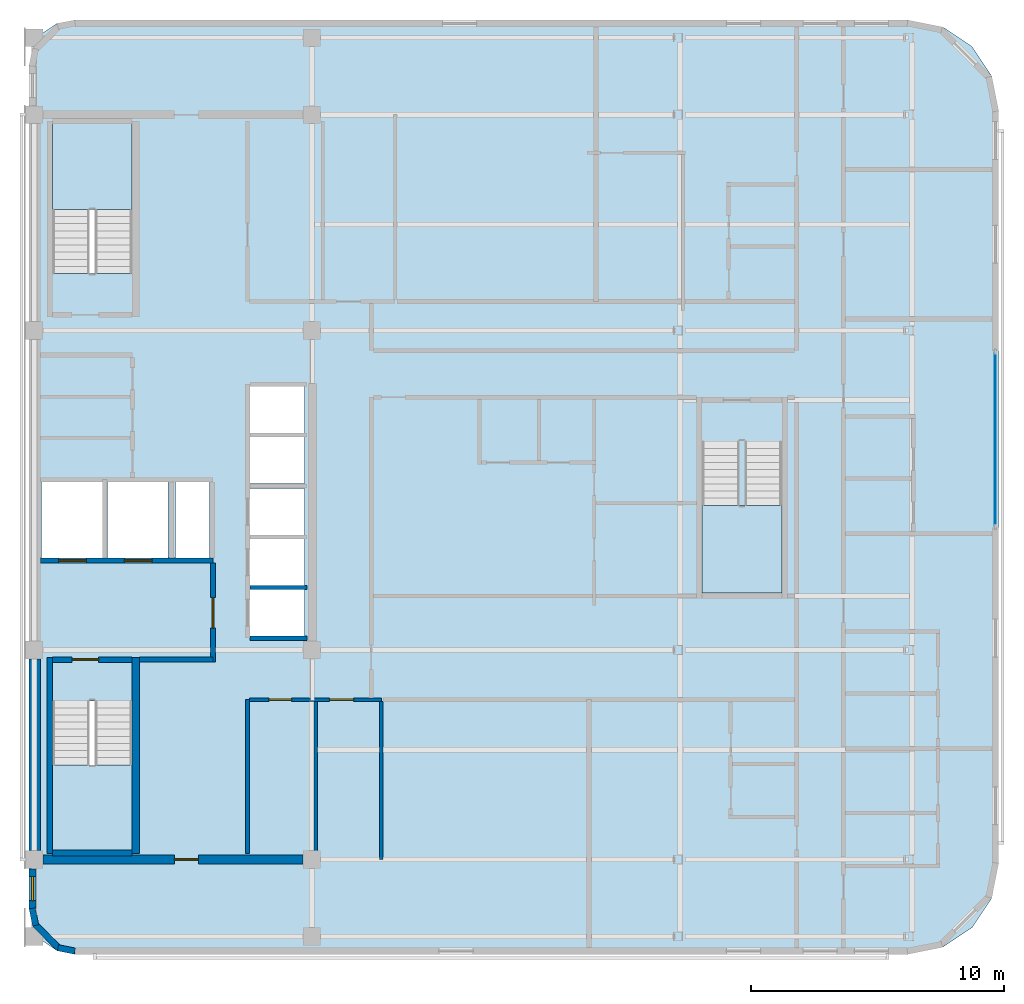
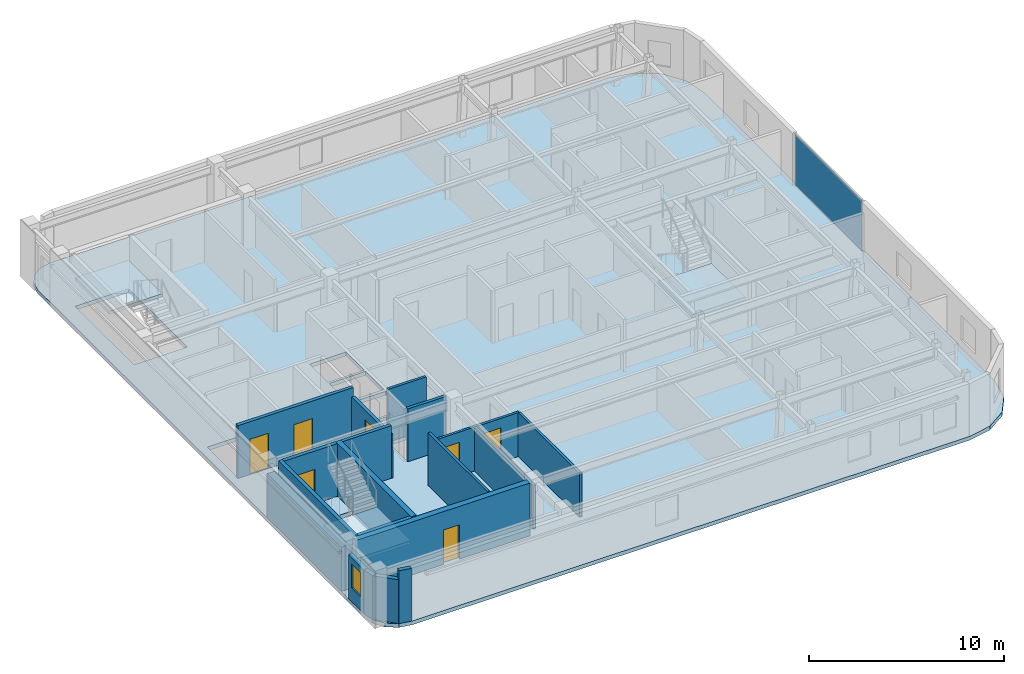
# One storey, part 3 of 11: 19 walls, 7 doors, 4 slabs, 1 plate, 1 window, 8 openings, 4 elements without a shape of their own.
"""IFC4 building model written with IfcOpenShell, lengths in metres."""

from ifc_helpers import new_model, si_unit, direction, frame, frame_2d, origin, origin_2d, place, context, subcontext, project, spatial, polyline, rectangle, outline, extrude, material, layer, layer_set, type_object, element, fill, aggregate, save


model = new_model("IFC4")

# Units and contexts
model_context = context("Model", 3, precision=1e-05, world=origin(), true_north=direction((0.0, 1.0)))
body_context = subcontext(model_context, "Body", "Model", "MODEL_VIEW")
ifc_project = project(units=[si_unit("LENGTHUNIT", "METRE"), si_unit("AREAUNIT", "SQUARE_METRE"), si_unit("VOLUMEUNIT", "CUBIC_METRE"), si_unit("PLANEANGLEUNIT", "RADIAN"), si_unit("MASSUNIT", "GRAM", prefix="KILO")], contexts=[model_context])

# Site, building, storey
site_placement = place(None, origin())
site = spatial("IfcSite", under=ifc_project, at=site_placement, CompositionType="ELEMENT")
building_placement = place(site_placement, origin())
building = spatial("IfcBuilding", under=site, at=building_placement, Name="Ochreholt Gables", CompositionType="ELEMENT")
storey_placement = place(building_placement, frame((0.0, 0.0, 278.39990234375)))
storey = spatial("IfcBuildingStorey", under=building, at=storey_placement, Name="L73", CompositionType="ELEMENT", Elevation=278.39990234375)

# Curtain wall, plate
ifc_material_1 = material(Name="Unitised Aluminium and Triple Glazing", Category="aluminium")
ifc_layer_1 = layer(ifc_material_1, 0.2099609375, Name="Unitised Aluminium and Triple Glazing")
ifc_layer_set_1 = layer_set([ifc_layer_1], Name="Unitised Aluminium and Triple Glazing")
curtain_wall_type = type_object("IfcCurtainWallType", Name="CW-SYS5", PredefinedType="NOTDEFINED", material=ifc_layer_set_1)
curtain_wall_placement = place(storey_placement, origin())
curtain_wall = element("IfcCurtainWall", 1, at=curtain_wall_placement, inside=storey, type_object=curtain_wall_type, Name="L73 East Unitised Curtain Wall", PredefinedType="NOTDEFINED")
ifc_material_2 = material(Name="Triple Low-E Insulating Glass", Category="glass")
ifc_layer_2 = layer(ifc_material_2, 0.0380859375, Name="Triple Low-E Insulating Glass")
ifc_layer_set_2 = layer_set([ifc_layer_2], Name="Triple Low-E Insulating Glass")
plate_type = type_object("IfcPlateType", Name="CW-PNL-38", PredefinedType="CURTAIN_PANEL", material=ifc_layer_set_2)
plate_placement = place(storey_placement, frame((62.264892578125, 25.89990234375, 0.0751953125), z_axis=(0.0, 0.0, 1.0), x_axis=(0.0, 1.0, 0.0)))
plate = element("IfcPlate", 2, at=plate_placement, type_object=plate_type, Name="CW-5 panel 1.1", PredefinedType="CURTAIN_PANEL", context=body_context, shape_type="SweptSolid", body=[
    extrude(rectangle(XDim=6.85009765625, YDim=0.0380859375, at=origin_2d()), origin(), (0.0, 0.0, 1.0), 3.14990234375),
])
aggregate(curtain_wall, [plate])

# Stair, slab
ifc_material_3 = material(Name="Concrete 40 MPa", Category="concrete")
stair_type_1 = type_object("IfcStairType", Name="STAIR-CORE-ST-1", PredefinedType="HALF_TURN_STAIR", material=ifc_material_3)
stair_1_placement = place(storey_placement, origin())
stair_1 = element("IfcStair", 3, at=stair_1_placement, inside=storey, type_object=stair_type_1, Name="L73 Core Exit Stair 1", PredefinedType="HALF_TURN_STAIR")
ifc_layer_3 = layer(ifc_material_3, 0.199951171875, Name="Concrete 40 MPa")
ifc_layer_set_3 = layer_set([ifc_layer_3], Name="Concrete 40 MPa")
slab_type_1 = type_object("IfcSlabType", Name="LANDING-RC200", PredefinedType="LANDING", material=ifc_layer_set_3)
slab_1_placement = place(storey_placement, frame((0.0, 0.0, 1.60009765625)))
slab_1 = element("IfcSlab", 4, at=slab_1_placement, type_object=slab_type_1, Name="ST-1 landing 1", PredefinedType="LANDING", context=body_context, shape_type="SweptSolid", body=[
    extrude(outline(polyline([(24.919921875, 13.001953125), (24.919921875, 9.52001953125), (28.080078125, 9.52001953125), (28.080078125, 13.001953125), (24.919921875, 13.001953125)])), origin(), (0.0, 0.0, 1.0), 0.199951171875),
])
aggregate(stair_1, [slab_1])

stair_type_2 = type_object("IfcStairType", Name="STAIR-CORE-ST-2", PredefinedType="HALF_TURN_STAIR", material=ifc_material_3)
stair_2_placement = place(storey_placement, origin())
stair_2 = element("IfcStair", 5, at=stair_2_placement, inside=storey, type_object=stair_type_2, Name="L73 Core Exit Stair 2", PredefinedType="HALF_TURN_STAIR")
slab_2_placement = place(storey_placement, frame((0.0, 0.0, 1.60009765625)))
slab_2 = element("IfcSlab", 6, at=slab_2_placement, type_object=slab_type_1, Name="ST-2 landing 1", PredefinedType="LANDING", context=body_context, shape_type="SweptSolid", body=[
    extrude(outline(polyline([(28.080078125, 34.998046875), (28.080078125, 38.47998046875), (24.919921875, 38.47998046875), (24.919921875, 34.998046875), (28.080078125, 34.998046875)])), origin(), (0.0, 0.0, 1.0), 0.199951171875),
])
aggregate(stair_2, [slab_2])

stair_type_3 = type_object("IfcStairType", Name="STAIR-CORE-ST-C7", PredefinedType="HALF_TURN_STAIR", material=ifc_material_3)
stair_3_placement = place(storey_placement, origin())
stair_3 = element("IfcStair", 7, at=stair_3_placement, inside=storey, type_object=stair_type_3, Name="L73 Community Feature Stair ST-C7", PredefinedType="HALF_TURN_STAIR")
slab_3_placement = place(storey_placement, frame((0.0, 0.0, 1.60009765625)))
slab_3 = element("IfcSlab", 8, at=slab_3_placement, type_object=slab_type_1, Name="ST-C7 landing 1", PredefinedType="LANDING", context=body_context, shape_type="SweptSolid", body=[
    extrude(outline(polyline([(50.64990234375, 23.281982421875), (50.64990234375, 19.800048828125), (53.81005859375, 19.800048828125), (53.81005859375, 23.281982421875), (50.64990234375, 23.281982421875)])), origin(), (0.0, 0.0, 1.0), 0.199951171875),
])
aggregate(stair_3, [slab_3])

# Slab
ifc_layer_4 = layer(ifc_material_3, 0.239990234375, Name="Concrete 40 MPa")
ifc_layer_set_4 = layer_set([ifc_layer_4], Name="Concrete 40 MPa")
slab_type_2 = type_object("IfcSlabType", Name="SLAB-TWR-240", PredefinedType="FLOOR", material=ifc_layer_set_4)
slab_4_placement = place(storey_placement, frame((0.0, 0.0, -0.239990234375)))
element("IfcSlab", 9, at=slab_4_placement, inside=storey, type_object=slab_type_2, Name="L73 Structural Floor Slab", PredefinedType="FLOOR", context=body_context, shape_type="SweptSolid", body=[
    extrude(outline(polyline([(24.0, 7.300048828125), (24.136962890625, 6.611083984375), (24.527099609375, 6.027099609375), (25.111083984375, 5.636962890625), (25.800048828125, 5.5), (58.800048828125, 5.5), (60.177734375, 5.77392578125), (61.345703125, 6.554443359375), (62.1259765625, 7.722412109375), (62.39990234375, 9.10009765625), (62.39990234375, 38.89990234375), (62.1259765625, 40.277587890625), (61.345703125, 41.445556640625), (60.177734375, 42.22607421875), (58.800048828125, 42.5), (25.800048828125, 42.5), (25.111083984375, 42.363037109375), (24.527099609375, 41.972900390625), (24.136962890625, 41.388916015625), (24.0, 40.699951171875), (24.0, 7.300048828125)]), holes=[polyline([(24.919921875, 15.539306640625), (24.919921875, 9.52001953125), (28.080078125, 9.52001953125), (28.080078125, 15.539306640625), (24.919921875, 15.539306640625)]), polyline([(28.080078125, 32.460693359375), (28.080078125, 38.47998046875), (24.919921875, 38.47998046875), (24.919921875, 32.460693359375), (28.080078125, 32.460693359375)]), polyline([(24.5, 21.199951171875), (26.89990234375, 21.199951171875), (26.89990234375, 24.199951171875), (24.5, 24.199951171875), (24.5, 21.199951171875)]), polyline([(27.10009765625, 21.199951171875), (29.5, 21.199951171875), (29.5, 24.199951171875), (27.10009765625, 24.199951171875), (27.10009765625, 21.199951171875)]), polyline([(32.75, 18.10009765625), (34.89990234375, 18.10009765625), (34.89990234375, 19.949951171875), (32.75, 19.949951171875), (32.75, 18.10009765625)]), polyline([(32.75, 20.10009765625), (34.89990234375, 20.10009765625), (34.89990234375, 21.949951171875), (32.75, 21.949951171875), (32.75, 20.10009765625)]), polyline([(32.75, 22.10009765625), (34.89990234375, 22.10009765625), (34.89990234375, 23.949951171875), (32.75, 23.949951171875), (32.75, 22.10009765625)]), polyline([(32.75, 24.14990234375), (34.89990234375, 24.14990234375), (34.89990234375, 26.0), (32.75, 26.0), (32.75, 24.14990234375)]), polyline([(32.75, 26.14990234375), (34.89990234375, 26.14990234375), (34.89990234375, 28.0), (32.75, 28.0), (32.75, 26.14990234375)]), polyline([(29.800048828125, 21.199951171875), (31.14990234375, 21.199951171875), (31.14990234375, 24.199951171875), (29.800048828125, 24.199951171875), (29.800048828125, 21.199951171875)])]), origin(), (0.0, 0.0, 1.0), 0.239990234375),
])

# Wall, opening, door
ifc_material_4 = material(Name="Concrete 50 MPa", Category="concrete")
ifc_layer_5 = layer(ifc_material_4, 0.35009765625, Name="Concrete 50 MPa")
ifc_layer_set_5 = layer_set([ifc_layer_5], Name="Concrete 50 MPa")
wall_type_1 = type_object("IfcWallType", Name="WALL-CSW-350", PredefinedType="SHEAR", material=ifc_layer_set_5)
wall_1_placement = place(storey_placement, frame((24.550048828125, 9.25, 0.0), z_axis=(0.0, 0.0, 1.0), x_axis=(1.0, 0.0, 0.0)))
wall_1 = element("IfcWall", 10, at=wall_1_placement, inside=storey, type_object=wall_type_1, Name="L73 Core South Shear Wall", PredefinedType="SHEAR", context=body_context, shape_type="SweptSolid", body=[
    extrude(rectangle(XDim=10.300048828125, YDim=0.35009765625, at=frame_2d((5.14990234375, 0.0))), origin(), (0.0, 0.0, 1.0), 3.300048828125),
])
opening_1_placement = place(wall_1_placement, frame((5.199951171875, 0.0, 0.0)))
opening_1 = element("IfcOpeningElement", 11, at=opening_1_placement, cuts=wall_1, Name="Opening D-FL2", PredefinedType="OPENING", context=body_context, shape_type="SweptSolid", body=[
    extrude(rectangle(XDim=0.949951171875, YDim=2.14990234375, at=frame_2d((0.47509765625, 1.074951171875))), frame((0.0, 0.18505859375, 0.0), z_axis=(0.0, -1.0, 0.0), x_axis=(1.0, 0.0, 0.0)), (0.0, 0.0, 1.0), 0.3701171875),
])
ifc_material_5 = material(Name="Hollow Metal Steel", Category="steel")
door_type_1 = type_object("IfcDoorType", Name="DR-INT-FLB950", OperationType="NOTDEFINED", PredefinedType="DOOR", material=ifc_material_5)
door_1_placement = place(opening_1_placement, frame((0.949951171875, 0.0, 0.0), z_axis=(0.0, 0.0, 1.0), x_axis=(-1.0, 0.0, 0.0)))
door_1 = element("IfcDoor", 12, at=door_1_placement, inside=storey, type_object=door_type_1, Name="L73 Door D-C3SSL-L73", OperationType="SINGLE_SWING_LEFT", OverallHeight=2.14990234375, OverallWidth=0.949951171875, PredefinedType="DOOR", context=body_context, shape_type="SweptSolid", body=[
    extrude(rectangle(XDim=0.949951171875, YDim=2.14990234375, at=frame_2d((0.47509765625, 1.074951171875))), frame((0.0, 0.02490234375, 0.0), z_axis=(0.0, -1.0, 0.0), x_axis=(1.0, 0.0, 0.0)), (0.0, 0.0, 1.0), 0.050048828125),
])
fill(opening_1, door_1)

# Wall
ifc_layer_6 = layer(ifc_material_4, 0.449951171875, Name="Concrete 50 MPa")
ifc_layer_set_6 = layer_set([ifc_layer_6], Name="Concrete 50 MPa")
wall_type_2 = type_object("IfcWallType", Name="WALL-CSW-EXT", PredefinedType="SHEAR", material=ifc_layer_set_6)
wall_2_placement = place(storey_placement, frame((24.22509765625, 9.60009765625, 0.0), z_axis=(0.0, 0.0, 1.0), x_axis=(0.0, 1.0, 0.0)))
element("IfcWall", 13, at=wall_2_placement, inside=storey, type_object=wall_type_2, Name="L73 Core West Shear Wall WS", PredefinedType="SHEAR", context=body_context, shape_type="SweptSolid", body=[
    extrude(rectangle(XDim=7.599853515625, YDim=0.449951171875, at=frame_2d((3.7998046875, 0.0))), origin(), (0.0, 0.0, 1.0), 2.760986328125),
])

# Wall, opening, window
ifc_material_6 = material(Name="Precast concrete 40 MPa", Category="concrete")
ifc_layer_7 = layer(ifc_material_6, 0.27001953125, Name="Precast concrete 40 MPa")
ifc_layer_set_7 = layer_set([ifc_layer_7], Name="Precast concrete 40 MPa")
wall_type_3 = type_object("IfcWallType", Name="WALL-EXT-270", PredefinedType="SOLIDWALL", material=ifc_layer_set_7)
wall_3_placement = place(storey_placement, frame((24.135009765625, 7.320068359375, 0.0), z_axis=(0.0, 0.0, 1.0), x_axis=(0.0, 1.0, 0.0)))
wall_3 = element("IfcWall", 14, at=wall_3_placement, inside=storey, type_object=wall_type_3, Name="L73 West Facade South Bay Wall", PredefinedType="SOLIDWALL", context=body_context, shape_type="SweptSolid", body=[
    extrude(rectangle(XDim=1.559814453125, YDim=0.27001953125, at=frame_2d((0.77978515625, 0.0))), origin(), (0.0, 0.0, 1.0), 2.7431640625),
])
opening_2_placement = place(wall_3_placement, frame((0.304931640625, 0.0, 0.85009765625)))
opening_2 = element("IfcOpeningElement", 15, at=opening_2_placement, cuts=wall_3, Name="Opening WN-10", PredefinedType="OPENING", context=body_context, shape_type="SweptSolid", body=[
    extrude(rectangle(XDim=0.949951171875, YDim=1.5, at=frame_2d((0.47509765625, 0.75))), frame((0.0, 0.14501953125, 0.0), z_axis=(0.0, -1.0, 0.0), x_axis=(1.0, 0.0, 0.0)), (0.0, 0.0, 1.0), 0.2900390625),
])
ifc_material_7 = material(Name="Triple-Glazed Thermally Broken Aluminium Window", Category="aluminium")
window_type = type_object("IfcWindowType", Name="WIN-RES-950", PartitioningType="SINGLE_PANEL", PredefinedType="WINDOW", material=ifc_material_7)
window_placement = place(opening_2_placement, origin())
window = element("IfcWindow", 16, at=window_placement, inside=storey, type_object=window_type, Name="L73 South Sky Lounge West Window", OverallHeight=1.5, OverallWidth=0.949951171875, PartitioningType="SINGLE_PANEL", PredefinedType="WINDOW", context=body_context, shape_type="SweptSolid", body=[
    extrude(rectangle(XDim=0.949951171875, YDim=1.5, at=frame_2d((0.47509765625, 0.75))), frame((0.0, 0.030029296875, 0.0), z_axis=(0.0, -1.0, 0.0), x_axis=(1.0, 0.0, 0.0)), (0.0, 0.0, 1.0), 0.06005859375),
])
fill(opening_2, window)

# Walls
ifc_layer_8 = layer(ifc_material_6, 0.25, Name="Precast concrete 40 MPa")
ifc_layer_set_8 = layer_set([ifc_layer_8], Name="Precast concrete 40 MPa")
wall_type_4 = type_object("IfcWallType", Name="WALL-EXT-CNR", PredefinedType="SOLIDWALL", material=ifc_layer_set_8)
wall_4_placement = place(storey_placement, frame((24.124267578125, 7.31640625, 0.0), z_axis=(0.0, 0.0, 1.0), x_axis=(0.194952956674, -0.980812594069, 0.0)))
element("IfcWall", 17, at=wall_4_placement, inside=storey, type_object=wall_type_4, Name="L73 Rounded Corner Wall SW-1", PredefinedType="SOLIDWALL", context=body_context, shape_type="SweptSolid", body=[
    extrude(rectangle(XDim=0.686279296875, YDim=0.25, at=frame_2d((0.34326171875, 0.0))), origin(), (0.0, 0.0, 1.0), 2.7431640625),
])
wall_5_placement = place(storey_placement, frame((24.23095703125, 6.69384765625, 0.0), z_axis=(0.0, 0.0, 1.0), x_axis=(0.707106781187, -0.707106781187, 0.0)))
element("IfcWall", 18, at=wall_5_placement, inside=storey, type_object=wall_type_4, Name="L73 Rounded Corner Wall SW-2", PredefinedType="SOLIDWALL", context=body_context, shape_type="SweptSolid", body=[
    extrude(rectangle(XDim=1.36181640625, YDim=0.25, at=frame_2d((0.680908203125, 0.0))), origin(), (0.0, 0.0, 1.0), 2.7431640625),
])
wall_6_placement = place(storey_placement, frame((25.143310546875, 5.758056640625, 0.0), z_axis=(0.0, 0.0, 1.0), x_axis=(0.980812594069, -0.194952956674, 0.0)))
element("IfcWall", 19, at=wall_6_placement, inside=storey, type_object=wall_type_4, Name="L73 Rounded Corner Wall SW-3", PredefinedType="SOLIDWALL", context=body_context, shape_type="SweptSolid", body=[
    extrude(rectangle(XDim=0.686279296875, YDim=0.25, at=frame_2d((0.34326171875, 0.0))), origin(), (0.0, 0.0, 1.0), 3.300048828125),
])

# Wall, openings, doors
ifc_layer_9 = layer(ifc_material_3, 0.199951171875, Name="Concrete 40 MPa")
ifc_layer_set_9 = layer_set([ifc_layer_9], Name="Concrete 40 MPa")
wall_type_5 = type_object("IfcWallType", Name="WALL-INT-CF200", PredefinedType="STANDARD", material=ifc_layer_set_9)
wall_7_placement = place(storey_placement, frame((24.449951171875, 21.090087890625, 0.0), z_axis=(0.0, 0.0, 1.0), x_axis=(1.0, 0.0, 0.0)))
wall_7 = element("IfcWall", 20, at=wall_7_placement, inside=storey, type_object=wall_type_5, Name="L73 Interior Wall WI-FFN-L73", PredefinedType="STANDARD", context=body_context, shape_type="SweptSolid", body=[
    extrude(rectangle(XDim=6.830078125, YDim=0.199951171875, at=frame_2d((3.4150390625, 0.0))), origin(), (0.0, 0.0, 1.0), 3.300048828125),
])
opening_3_placement = place(wall_7_placement, frame((0.719970703125, 0.0, 0.0)))
opening_3 = element("IfcOpeningElement", 21, at=opening_3_placement, cuts=wall_7, Name="Opening LD-FF", PredefinedType="OPENING", context=body_context, shape_type="SweptSolid", body=[
    extrude(rectangle(XDim=1.10009765625, YDim=2.199951171875, at=frame_2d((0.550048828125, 1.10009765625))), frame((0.0, 0.10986328125, 0.0), z_axis=(0.0, -1.0, 0.0), x_axis=(1.0, 0.0, 0.0)), (0.0, 0.0, 1.0), 0.219970703125),
])
opening_4_placement = place(wall_7_placement, frame((3.320068359375, 0.0, 0.0)))
opening_4 = element("IfcOpeningElement", 22, at=opening_4_placement, cuts=wall_7, Name="Opening LD-FF", PredefinedType="OPENING", context=body_context, shape_type="SweptSolid", body=[
    extrude(rectangle(XDim=1.10009765625, YDim=2.199951171875, at=frame_2d((0.550048828125, 1.10009765625))), frame((0.0, 0.10986328125, 0.0), z_axis=(0.0, -1.0, 0.0), x_axis=(1.0, 0.0, 0.0)), (0.0, 0.0, 1.0), 0.219970703125),
])
ifc_material_8 = material(Name="Stainless Steel", Category="steel")
door_type_2 = type_object("IfcDoorType", Name="DR-LFT-FF1100", OperationType="NOTDEFINED", PredefinedType="DOOR", material=ifc_material_8)
door_2_placement = place(opening_3_placement, origin())
door_2 = element("IfcDoor", 23, at=door_2_placement, inside=storey, type_object=door_type_2, Name="L73 Door LD-FF1-L73", OperationType="SLIDING_TO_LEFT", OverallHeight=2.199951171875, OverallWidth=1.10009765625, PredefinedType="DOOR", context=body_context, shape_type="SweptSolid", body=[
    extrude(rectangle(XDim=1.10009765625, YDim=2.199951171875, at=frame_2d((0.550048828125, 1.10009765625))), frame((0.0, 0.02490234375, 0.0), z_axis=(0.0, -1.0, 0.0), x_axis=(1.0, 0.0, 0.0)), (0.0, 0.0, 1.0), 0.050048828125),
])
fill(opening_3, door_2)
door_3_placement = place(opening_4_placement, origin())
door_3 = element("IfcDoor", 24, at=door_3_placement, inside=storey, type_object=door_type_2, Name="L73 Door LD-FF2-L73", OperationType="SLIDING_TO_LEFT", OverallHeight=2.199951171875, OverallWidth=1.10009765625, PredefinedType="DOOR", context=body_context, shape_type="SweptSolid", body=[
    extrude(rectangle(XDim=1.10009765625, YDim=2.199951171875, at=frame_2d((0.550048828125, 1.10009765625))), frame((0.0, 0.02490234375, 0.0), z_axis=(0.0, -1.0, 0.0), x_axis=(1.0, 0.0, 0.0)), (0.0, 0.0, 1.0), 0.050048828125),
])
fill(opening_4, door_3)

# Wall
wall_8_placement = place(storey_placement, frame((28.3798828125, 17.169921875, 0.0), z_axis=(0.0, 0.0, 1.0), x_axis=(1.0, 0.0, 0.0)))
element("IfcWall", 25, at=wall_8_placement, inside=storey, type_object=wall_type_5, Name="L73 Interior Wall WI-FFS-L73", PredefinedType="STANDARD", context=body_context, shape_type="SweptSolid", body=[
    extrude(rectangle(XDim=2.900146484375, YDim=0.199951171875, at=frame_2d((1.4501953125, 0.0))), origin(), (0.0, 0.0, 1.0), 3.300048828125),
])

# Wall, opening, door
wall_9_placement = place(storey_placement, frame((31.280029296875, 17.070068359375, 0.0), z_axis=(0.0, 0.0, 1.0), x_axis=(0.0, 1.0, 0.0)))
wall_9 = element("IfcWall", 26, at=wall_9_placement, inside=storey, type_object=wall_type_5, Name="L73 Interior Wall WI-FFE-L73", PredefinedType="STANDARD", context=body_context, shape_type="SweptSolid", body=[
    extrude(rectangle(XDim=3.919921875, YDim=0.199951171875, at=frame_2d((1.9599609375, 0.0))), origin(), (0.0, 0.0, 1.0), 2.7431640625),
])
opening_5_placement = place(wall_9_placement, frame((1.35009765625, 0.0, 0.0)))
opening_5 = element("IfcOpeningElement", 27, at=opening_5_placement, cuts=wall_9, Name="Opening D-FFL", PredefinedType="OPENING", context=body_context, shape_type="SweptSolid", body=[
    extrude(rectangle(XDim=1.199951171875, YDim=2.14990234375, at=frame_2d((0.60009765625, 1.074951171875))), frame((0.0, 0.10986328125, 0.0), z_axis=(0.0, -1.0, 0.0), x_axis=(1.0, 0.0, 0.0)), (0.0, 0.0, 1.0), 0.219970703125),
])
door_type_3 = type_object("IfcDoorType", Name="DR-INT-FFL1200", OperationType="NOTDEFINED", PredefinedType="DOOR", material=ifc_material_5)
door_4_placement = place(opening_5_placement, origin())
door_4 = element("IfcDoor", 28, at=door_4_placement, inside=storey, type_object=door_type_3, Name="L73 Door D-FFL-L73", OperationType="SINGLE_SWING_LEFT", OverallHeight=2.14990234375, OverallWidth=1.199951171875, PredefinedType="DOOR", context=body_context, shape_type="SweptSolid", body=[
    extrude(rectangle(XDim=1.199951171875, YDim=2.14990234375, at=frame_2d((0.60009765625, 1.074951171875))), frame((0.0, 0.02490234375, 0.0), z_axis=(0.0, -1.0, 0.0), x_axis=(1.0, 0.0, 0.0)), (0.0, 0.0, 1.0), 0.050048828125),
])
fill(opening_5, door_4)

# Wall
ifc_material_9 = material(Name="Lightweight Stud Partition", Category="gypsum")
ifc_layer_10 = layer(ifc_material_9, 0.14501953125, Name="Lightweight Stud Partition")
ifc_layer_set_10 = layer_set([ifc_layer_10], Name="Lightweight Stud Partition")
wall_type_6 = type_object("IfcWallType", Name="WALL-INT-PT145", PredefinedType="PARTITIONING", material=ifc_layer_set_10)
wall_10_placement = place(storey_placement, frame((32.64990234375, 9.5, 0.0), z_axis=(0.0, 0.0, 1.0), x_axis=(0.0, 1.0, 0.0)))
element("IfcWall", 29, at=wall_10_placement, inside=storey, type_object=wall_type_6, Name="L73 Interior Wall WI-RCL-W-L73", PredefinedType="PARTITIONING", context=body_context, shape_type="SweptSolid", body=[
    extrude(rectangle(XDim=6.080078125, YDim=0.14501953125, at=frame_2d((3.0400390625, 0.0))), origin(), (0.0, 0.0, 1.0), 3.300048828125),
])

# Wall, openings, doors
wall_11_placement = place(storey_placement, frame((32.722412109375, 15.580078125, 0.0), z_axis=(0.0, 0.0, 1.0), x_axis=(1.0, 0.0, 0.0)))
wall_11 = element("IfcWall", 30, at=wall_11_placement, inside=storey, type_object=wall_type_6, Name="L73 Interior Wall WI-RCL-N-L73", PredefinedType="PARTITIONING", context=body_context, shape_type="SweptSolid", body=[
    extrude(rectangle(XDim=5.2275390625, YDim=0.14501953125, at=frame_2d((2.61376953125, 0.0))), origin(), (0.0, 0.0, 1.0), 2.7431640625),
])
opening_6_placement = place(wall_11_placement, frame((0.777587890625, 0.0, 0.0)))
opening_6 = element("IfcOpeningElement", 31, at=opening_6_placement, cuts=wall_11, Name="Opening D-SV1", PredefinedType="OPENING", context=body_context, shape_type="SweptSolid", body=[
    extrude(rectangle(XDim=0.89990234375, YDim=2.10009765625, at=frame_2d((0.449951171875, 1.050048828125))), frame((0.0, 0.08251953125, 0.0), z_axis=(0.0, -1.0, 0.0), x_axis=(1.0, 0.0, 0.0)), (0.0, 0.0, 1.0), 0.1650390625),
])
opening_7_placement = place(wall_11_placement, frame((3.177490234375, 0.0, 0.0)))
opening_7 = element("IfcOpeningElement", 32, at=opening_7_placement, cuts=wall_11, Name="Opening D-GN1", PredefinedType="OPENING", context=body_context, shape_type="SweptSolid", body=[
    extrude(rectangle(XDim=0.949951171875, YDim=2.14990234375, at=frame_2d((0.47509765625, 1.074951171875))), frame((0.0, 0.08251953125, 0.0), z_axis=(0.0, -1.0, 0.0), x_axis=(1.0, 0.0, 0.0)), (0.0, 0.0, 1.0), 0.1650390625),
])
ifc_material_10 = material(Name="Engineered Oak Timber", Category="wood")
door_type_4 = type_object("IfcDoorType", Name="DR-INT-GEN950", OperationType="NOTDEFINED", PredefinedType="DOOR", material=ifc_material_10)
door_5_placement = place(opening_7_placement, origin())
door_5 = element("IfcDoor", 33, at=door_5_placement, inside=storey, type_object=door_type_4, Name="L73 Door D-RCL2-L73", OperationType="SINGLE_SWING_RIGHT", OverallHeight=2.14990234375, OverallWidth=0.949951171875, PredefinedType="DOOR", context=body_context, shape_type="SweptSolid", body=[
    extrude(rectangle(XDim=0.949951171875, YDim=2.14990234375, at=frame_2d((0.47509765625, 1.074951171875))), frame((0.0, 0.02490234375, 0.0), z_axis=(0.0, -1.0, 0.0), x_axis=(1.0, 0.0, 0.0)), (0.0, 0.0, 1.0), 0.050048828125),
])
fill(opening_7, door_5)
door_type_5 = type_object("IfcDoorType", Name="DR-INT-SRV900", OperationType="NOTDEFINED", PredefinedType="DOOR", material=ifc_material_5)
door_6_placement = place(opening_6_placement, origin())
door_6 = element("IfcDoor", 34, at=door_6_placement, inside=storey, type_object=door_type_5, Name="L73 Door D-RCL1-L73", OperationType="SINGLE_SWING_LEFT", OverallHeight=2.10009765625, OverallWidth=0.89990234375, PredefinedType="DOOR", context=body_context, shape_type="SweptSolid", body=[
    extrude(rectangle(XDim=0.89990234375, YDim=2.10009765625, at=frame_2d((0.449951171875, 1.050048828125))), frame((0.0, 0.02490234375, 0.0), z_axis=(0.0, -1.0, 0.0), x_axis=(1.0, 0.0, 0.0)), (0.0, 0.0, 1.0), 0.050048828125),
])
fill(opening_6, door_6)

# Walls
wall_12_placement = place(storey_placement, frame((37.949951171875, 9.25, 0.0), z_axis=(0.0, 0.0, 1.0), x_axis=(0.0, 1.0, 0.0)))
element("IfcWall", 35, at=wall_12_placement, inside=storey, type_object=wall_type_6, Name="L73 Interior Wall WI-RCL-E-L73", PredefinedType="PARTITIONING", context=body_context, shape_type="SweptSolid", body=[
    extrude(rectangle(XDim=6.257568359375, YDim=0.14501953125, at=frame_2d((3.12890625, 0.0))), origin(), (0.0, 0.0, 1.0), 2.7431640625),
])
wall_13_placement = place(storey_placement, frame((35.35009765625, 9.5, 0.0), z_axis=(0.0, 0.0, 1.0), x_axis=(0.0, 1.0, 0.0)))
element("IfcWall", 36, at=wall_13_placement, inside=storey, type_object=wall_type_6, Name="L73 Interior Wall WI-RCL-DV-L73", PredefinedType="PARTITIONING", context=body_context, shape_type="SweptSolid", body=[
    extrude(rectangle(XDim=6.007568359375, YDim=0.14501953125, at=frame_2d((3.00390625, 0.0))), origin(), (0.0, 0.0, 1.0), 2.7431640625),
])
ifc_material_11 = material(Name="Gypsum Shaftliner and Steel Stud", Category="steel")
ifc_layer_11 = layer(ifc_material_11, 0.14990234375, Name="Gypsum Shaftliner and Steel Stud")
ifc_layer_set_11 = layer_set([ifc_layer_11], Name="Gypsum Shaftliner and Steel Stud")
wall_type_7 = type_object("IfcWallType", Name="WALL-INT-SH150", PredefinedType="STANDARD", material=ifc_layer_set_11)
wall_14_placement = place(storey_placement, frame((32.739990234375, 20.02001953125, 0.0), z_axis=(0.0, 0.0, 1.0), x_axis=(1.0, 0.0, 0.0)))
element("IfcWall", 37, at=wall_14_placement, inside=storey, type_object=wall_type_7, Name="L73 Interior Wall WI-LFHE-DH1-L73", PredefinedType="STANDARD", context=body_context, shape_type="SweptSolid", body=[
    extrude(rectangle(XDim=2.260009765625, YDim=0.14990234375, at=frame_2d((1.1298828125, 0.0))), origin(), (0.0, 0.0, 1.0), 3.300048828125),
])
ifc_layer_12 = layer(ifc_material_11, 0.179931640625, Name="Gypsum Shaftliner and Steel Stud")
ifc_layer_set_12 = layer_set([ifc_layer_12], Name="Gypsum Shaftliner and Steel Stud")
wall_type_8 = type_object("IfcWallType", Name="WALL-INT-SH180", PredefinedType="STANDARD", material=ifc_layer_set_12)
wall_15_placement = place(storey_placement, frame((32.739990234375, 18.02001953125, 0.0), z_axis=(0.0, 0.0, 1.0), x_axis=(1.0, 0.0, 0.0)))
element("IfcWall", 38, at=wall_15_placement, inside=storey, type_object=wall_type_8, Name="L73 Interior Wall WI-LFHE-S-L73", PredefinedType="STANDARD", context=body_context, shape_type="SweptSolid", body=[
    extrude(rectangle(XDim=2.260009765625, YDim=0.179931640625, at=frame_2d((1.1298828125, 0.0))), origin(), (0.0, 0.0, 1.0), 3.300048828125),
])
ifc_material_12 = material(Name="Concrete 60 MPa", Category="concrete")
ifc_layer_13 = layer(ifc_material_12, 0.300048828125, Name="Concrete 60 MPa")
ifc_layer_set_13 = layer_set([ifc_layer_13], Name="Concrete 60 MPa")
wall_type_9 = type_object("IfcWallType", Name="WALL-SPN-300", PredefinedType="SHEAR", material=ifc_layer_set_13)
wall_16_placement = place(storey_placement, frame((28.22998046875, 9.5, 0.0), z_axis=(0.0, 0.0, 1.0), x_axis=(0.0, 1.0, 0.0)))
element("IfcWall", 39, at=wall_16_placement, inside=storey, type_object=wall_type_9, Name="L73 Core South Spine Shear Wall", PredefinedType="SHEAR", context=body_context, shape_type="SweptSolid", body=[
    extrude(rectangle(XDim=7.760009765625, YDim=0.300048828125, at=frame_2d((3.8798828125, 0.0))), origin(), (0.0, 0.0, 1.0), 3.300048828125),
])
ifc_layer_14 = layer(ifc_material_4, 0.219970703125, Name="Concrete 50 MPa")
ifc_layer_set_14 = layer_set([ifc_layer_14], Name="Concrete 50 MPa")
wall_type_10 = type_object("IfcWallType", Name="WALL-STW-220", PredefinedType="SHEAR", material=ifc_layer_set_14)
wall_17_placement = place(storey_placement, frame((24.81005859375, 9.5, 0.0), z_axis=(0.0, 0.0, 1.0), x_axis=(0.0, 1.0, 0.0)))
element("IfcWall", 40, at=wall_17_placement, inside=storey, type_object=wall_type_10, Name="L73 Exit Stair 1 West Wall", PredefinedType="SHEAR", context=body_context, shape_type="SweptSolid", body=[
    extrude(rectangle(XDim=7.760009765625, YDim=0.219970703125, at=frame_2d((3.8798828125, 0.0))), origin(), (0.0, 0.0, 1.0), 3.300048828125),
])
wall_18_placement = place(storey_placement, frame((24.919921875, 9.510009765625, 0.0), z_axis=(0.0, 0.0, 1.0), x_axis=(1.0, 0.0, 0.0)))
element("IfcWall", 41, at=wall_18_placement, inside=storey, type_object=wall_type_10, Name="L73 Exit Stair 1 South Wall", PredefinedType="SHEAR", context=body_context, shape_type="SweptSolid", body=[
    extrude(rectangle(XDim=3.16015625, YDim=0.219970703125, at=frame_2d((1.580078125, 0.0))), origin(), (0.0, 0.0, 1.0), 3.300048828125),
])

# Wall, opening, door
wall_19_placement = place(storey_placement, frame((24.919921875, 17.169921875, 0.0), z_axis=(0.0, 0.0, 1.0), x_axis=(1.0, 0.0, 0.0)))
wall_19 = element("IfcWall", 42, at=wall_19_placement, inside=storey, type_object=wall_type_10, Name="L73 Exit Stair 1 North Wall", PredefinedType="SHEAR", context=body_context, shape_type="SweptSolid", body=[
    extrude(rectangle(XDim=3.16015625, YDim=0.219970703125, at=frame_2d((1.580078125, 0.0))), origin(), (0.0, 0.0, 1.0), 3.300048828125),
])
opening_8_placement = place(wall_19_placement, frame((0.780029296875, 0.0, 0.0)))
opening_8 = element("IfcOpeningElement", 43, at=opening_8_placement, cuts=wall_19, Name="Opening D-STC", PredefinedType="OPENING", context=body_context, shape_type="SweptSolid", body=[
    extrude(rectangle(XDim=1.050048828125, YDim=2.14990234375, at=frame_2d((0.52490234375, 1.074951171875))), frame((0.0, 0.119873046875, 0.0), z_axis=(0.0, -1.0, 0.0), x_axis=(1.0, 0.0, 0.0)), (0.0, 0.0, 1.0), 0.239990234375),
])
door_type_6 = type_object("IfcDoorType", Name="DR-INT-ST1050", OperationType="NOTDEFINED", PredefinedType="DOOR", material=ifc_material_5)
door_7_placement = place(opening_8_placement, frame((1.050048828125, 0.0, 0.0), z_axis=(0.0, 0.0, 1.0), x_axis=(-1.0, 0.0, 0.0)))
door_7 = element("IfcDoor", 44, at=door_7_placement, inside=storey, type_object=door_type_6, Name="L73 Door D-ST1-L73", OperationType="SINGLE_SWING_LEFT", OverallHeight=2.14990234375, OverallWidth=1.050048828125, PredefinedType="DOOR", context=body_context, shape_type="SweptSolid", body=[
    extrude(rectangle(XDim=1.050048828125, YDim=2.14990234375, at=frame_2d((0.52490234375, 1.074951171875))), frame((0.0, 0.02490234375, 0.0), z_axis=(0.0, -1.0, 0.0), x_axis=(1.0, 0.0, 0.0)), (0.0, 0.0, 1.0), 0.050048828125),
])
fill(opening_8, door_7)

save(model, "model.ifc")
